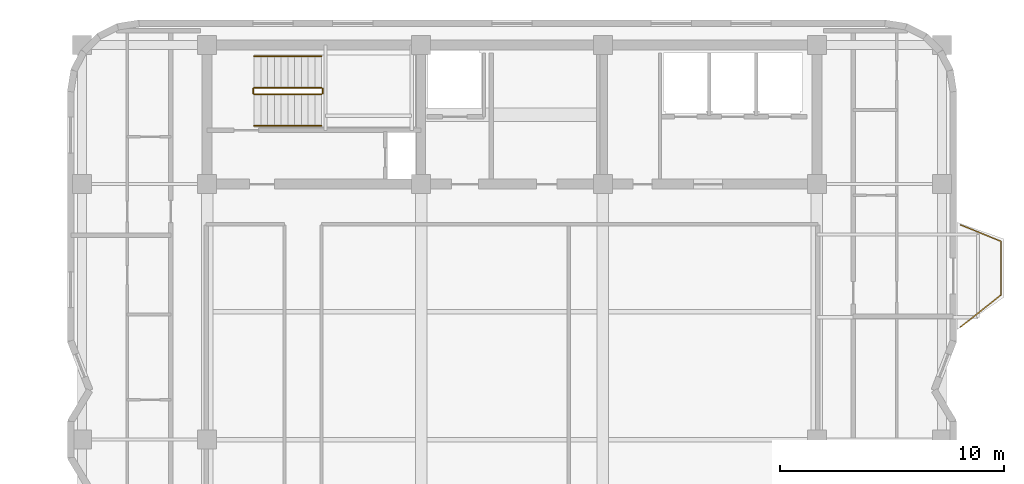
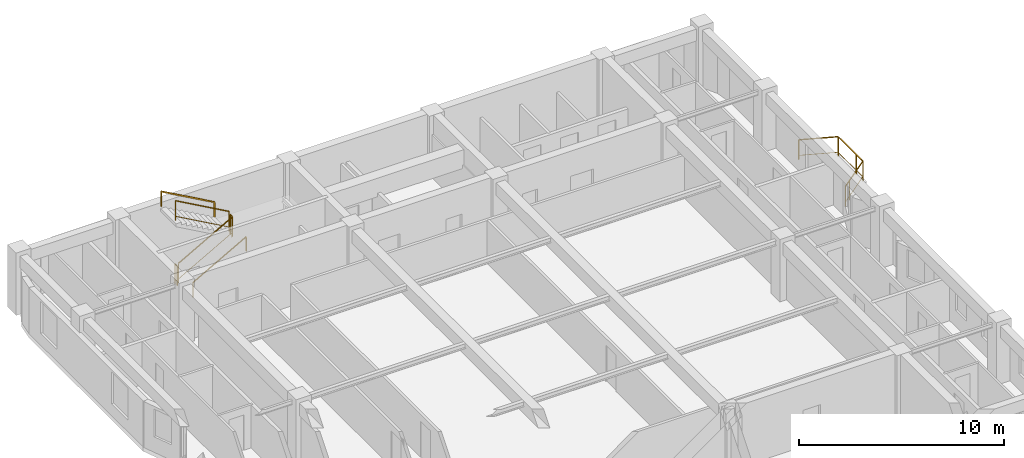
# One storey, part 8 of 8: 7 railings.
"""IFC4 building model written with IfcOpenShell, lengths in metres."""

from ifc_helpers import new_model, si_unit, direction, frame, origin, origin_2d, place, context, subcontext, project, spatial, rectangle, extrude, material, type_object, element, save


model = new_model("IFC4")

# Units and contexts
model_context = context("Model", 3, precision=1e-05, world=origin(), true_north=direction((0.0, 1.0)))
body_context = subcontext(model_context, "Body", "Model", "MODEL_VIEW")
ifc_project = project(units=[si_unit("LENGTHUNIT", "METRE"), si_unit("AREAUNIT", "SQUARE_METRE"), si_unit("VOLUMEUNIT", "CUBIC_METRE"), si_unit("PLANEANGLEUNIT", "RADIAN"), si_unit("MASSUNIT", "GRAM", prefix="KILO")], contexts=[model_context])

# Site, building, storey
site_placement = place(None, origin())
site = spatial("IfcSite", under=ifc_project, at=site_placement, CompositionType="ELEMENT")
building_placement = place(site_placement, origin())
building = spatial("IfcBuilding", under=site, at=building_placement, Name="Svetorya Sky Lyceum", CompositionType="ELEMENT")
storey_placement = place(building_placement, frame((0.0, 0.0, 229.5)))
storey = spatial("IfcBuildingStorey", under=building, at=storey_placement, Name="L57", CompositionType="ELEMENT", Elevation=229.5)

# Railings
ifc_material_1 = material(Name="Laminated safety glass and stainless AISI 316", Category="glass")
railing_type_1 = type_object("IfcRailingType", Name="RL-BAL-1200", PredefinedType="BALUSTRADE", material=ifc_material_1)
railing_1_placement = place(storey_placement, frame((59.2099609375, 37.780029296875, 0.0)))
element("IfcRailing", 1, at=railing_1_placement, inside=storey, type_object=railing_type_1, Name="L57 Balcony Balustrade BAL-E1", PredefinedType="BALUSTRADE", context=body_context, shape_type="SweptSolid", body=[
    extrude(rectangle(XDim=0.048095703125, YDim=0.048095703125, at=origin_2d()), frame((0.0, 0.0, 1.17578125), z_axis=(0.926697865975, -0.375807218129, 0.0), x_axis=(0.375807218129, 0.926697865975, 0.0)), (0.0, 0.0, 1.0), 1.9423828125),
    extrude(rectangle(XDim=0.02392578125, YDim=0.02392578125, at=origin_2d()), frame((0.0, 0.0, 0.25), z_axis=(0.926697865975, -0.375807218129, 0.0), x_axis=(0.375807218129, 0.926697865975, 0.0)), (0.0, 0.0, 1.0), 1.9423828125),
    extrude(rectangle(XDim=0.048095703125, YDim=0.048095703125, at=origin_2d()), frame((1.800048828125, -0.72998046875, 1.17578125), z_axis=(0.0, -1.0, 0.0), x_axis=(1.0, 0.0, 0.0)), (0.0, 0.0, 1.0), 2.400146484375),
    extrude(rectangle(XDim=0.02392578125, YDim=0.02392578125, at=origin_2d()), frame((1.800048828125, -0.72998046875, 0.25), z_axis=(0.0, -1.0, 0.0), x_axis=(1.0, 0.0, 0.0)), (0.0, 0.0, 1.0), 2.400146484375),
    extrude(rectangle(XDim=0.048095703125, YDim=0.048095703125, at=origin_2d()), frame((1.800048828125, -3.130126953125, 1.17578125), z_axis=(-0.783008919264, -0.622010476079, 0.0), x_axis=(0.622010476079, -0.783008919264, 0.0)), (0.0, 0.0, 1.0), 2.298828125),
    extrude(rectangle(XDim=0.02392578125, YDim=0.02392578125, at=origin_2d()), frame((1.800048828125, -3.130126953125, 0.25), z_axis=(-0.783008919264, -0.622010476079, 0.0), x_axis=(0.622010476079, -0.783008919264, 0.0)), (0.0, 0.0, 1.0), 2.298828125),
    extrude(rectangle(XDim=0.0419921875, YDim=0.0419921875, at=origin_2d()), origin(), (0.0, 0.0, 1.0), 1.15185546875),
    extrude(rectangle(XDim=0.0419921875, YDim=0.0419921875, at=origin_2d()), frame((1.800048828125, -0.72998046875, 0.0)), (0.0, 0.0, 1.0), 1.15185546875),
    extrude(rectangle(XDim=0.0419921875, YDim=0.0419921875, at=origin_2d()), frame((1.800048828125, -2.47998046875, 0.0)), (0.0, 0.0, 1.0), 1.15185546875),
    extrude(rectangle(XDim=0.0419921875, YDim=0.0419921875, at=origin_2d()), frame((1.800048828125, -3.130126953125, 0.0)), (0.0, 0.0, 1.0), 1.15185546875),
    extrude(rectangle(XDim=0.0419921875, YDim=0.0419921875, at=origin_2d()), frame((0.4296875, -4.21875, 0.0)), (0.0, 0.0, 1.0), 1.15185546875),
    extrude(rectangle(XDim=0.0419921875, YDim=0.0419921875, at=origin_2d()), frame((0.0, -4.56005859375, 0.0)), (0.0, 0.0, 1.0), 1.15185546875),
])
ifc_material_2 = material(Name="Painted galvanized stair well guard")
railing_type_2 = type_object("IfcRailingType", Name="RL-STR-GUARD-1200", PredefinedType="GUARDRAIL", material=ifc_material_2)
railing_2_placement = place(storey_placement, frame((27.699951171875, 43.60009765625, 0.168212890625)))
element("IfcRailing", 2, at=railing_2_placement, inside=storey, type_object=railing_type_2, Name="L57 ST-N stair guard 1", PredefinedType="GUARDRAIL", context=body_context, shape_type="SweptSolid", body=[
    extrude(rectangle(XDim=0.048095703125, YDim=0.048095703125, at=origin_2d()), frame((0.0, 0.0, 1.17578125), z_axis=(0.872272294576, 0.0, 0.489020494575), x_axis=(0.0, 1.0, 0.0)), (0.0, 0.0, 1.0), 3.439208984375),
    extrude(rectangle(XDim=0.02392578125, YDim=0.02392578125, at=origin_2d()), frame((0.0, 0.0, 0.25), z_axis=(0.872272294576, 0.0, 0.489020494575), x_axis=(0.0, 1.0, 0.0)), (0.0, 0.0, 1.0), 3.439208984375),
    extrude(rectangle(XDim=0.0419921875, YDim=0.0419921875, at=origin_2d()), origin(), (0.0, 0.0, 1.0), 1.15185546875),
    extrude(rectangle(XDim=0.0419921875, YDim=0.0419921875, at=origin_2d()), frame((3.0, 0.0, 1.681884765625)), (0.0, 0.0, 1.0), 1.15185546875),
])
railing_3_placement = place(storey_placement, frame((30.75, 43.64990234375, 1.85009765625)))
element("IfcRailing", 3, at=railing_3_placement, inside=storey, type_object=railing_type_2, Name="L57 ST-N stair guard 2", PredefinedType="GUARDRAIL", context=body_context, shape_type="SweptSolid", body=[
    extrude(rectangle(XDim=0.048095703125, YDim=0.048095703125, at=origin_2d()), frame((0.0, 0.0, 1.17578125), z_axis=(0.0, 1.0, 0.0), x_axis=(-1.0, 0.0, 0.0)), (0.0, 0.0, 1.0), 0.2001953125),
    extrude(rectangle(XDim=0.02392578125, YDim=0.02392578125, at=origin_2d()), frame((0.0, 0.0, 0.25), z_axis=(0.0, 1.0, 0.0), x_axis=(-1.0, 0.0, 0.0)), (0.0, 0.0, 1.0), 0.2001953125),
    extrude(rectangle(XDim=0.0419921875, YDim=0.0419921875, at=origin_2d()), origin(), (0.0, 0.0, 1.0), 1.15185546875),
    extrude(rectangle(XDim=0.0419921875, YDim=0.0419921875, at=origin_2d()), frame((0.0, 0.2001953125, 0.0)), (0.0, 0.0, 1.0), 1.15185546875),
])
railing_4_placement = place(storey_placement, frame((30.699951171875, 43.89990234375, 2.01806640625)))
element("IfcRailing", 4, at=railing_4_placement, inside=storey, type_object=railing_type_2, Name="L57 ST-N stair guard 3", PredefinedType="GUARDRAIL", context=body_context, shape_type="SweptSolid", body=[
    extrude(rectangle(XDim=0.048095703125, YDim=0.048095703125, at=origin_2d()), frame((0.0, 0.0, 1.17578125), z_axis=(-0.872272294576, 0.0, 0.489020494575), x_axis=(0.0, -1.0, 0.0)), (0.0, 0.0, 1.0), 3.439208984375),
    extrude(rectangle(XDim=0.02392578125, YDim=0.02392578125, at=origin_2d()), frame((0.0, 0.0, 0.25), z_axis=(-0.872272294576, 0.0, 0.489020494575), x_axis=(0.0, -1.0, 0.0)), (0.0, 0.0, 1.0), 3.439208984375),
    extrude(rectangle(XDim=0.0419921875, YDim=0.0419921875, at=origin_2d()), origin(), (0.0, 0.0, 1.0), 1.15185546875),
    extrude(rectangle(XDim=0.0419921875, YDim=0.0419921875, at=origin_2d()), frame((-3.0, 0.0, 1.681884765625)), (0.0, 0.0, 1.0), 1.15185546875),
])
railing_5_placement = place(storey_placement, frame((27.64990234375, 43.64990234375, 0.0)))
element("IfcRailing", 5, at=railing_5_placement, inside=storey, type_object=railing_type_2, Name="L57 ST-N stair guard 4", PredefinedType="GUARDRAIL", context=body_context, shape_type="SweptSolid", body=[
    extrude(rectangle(XDim=0.048095703125, YDim=0.048095703125, at=origin_2d()), frame((0.0, 0.0, 1.17578125), z_axis=(0.0, 1.0, 0.0), x_axis=(-1.0, 0.0, 0.0)), (0.0, 0.0, 1.0), 0.2001953125),
    extrude(rectangle(XDim=0.02392578125, YDim=0.02392578125, at=origin_2d()), frame((0.0, 0.0, 0.25), z_axis=(0.0, 1.0, 0.0), x_axis=(-1.0, 0.0, 0.0)), (0.0, 0.0, 1.0), 0.2001953125),
    extrude(rectangle(XDim=0.0419921875, YDim=0.0419921875, at=origin_2d()), origin(), (0.0, 0.0, 1.0), 1.15185546875),
    extrude(rectangle(XDim=0.0419921875, YDim=0.0419921875, at=origin_2d()), frame((0.0, 0.2001953125, 0.0)), (0.0, 0.0, 1.0), 1.15185546875),
])
ifc_material_3 = material(Name="Brushed stainless AISI 304 stair handrail")
railing_type_3 = type_object("IfcRailingType", Name="RL-STR-HAND-920", PredefinedType="HANDRAIL", material=ifc_material_3)
railing_6_placement = place(storey_placement, frame((27.699951171875, 42.199951171875, 0.168212890625)))
element("IfcRailing", 6, at=railing_6_placement, inside=storey, type_object=railing_type_3, Name="L57 ST-N stair handrail 1", PredefinedType="HANDRAIL", context=body_context, shape_type="SweptSolid", body=[
    extrude(rectangle(XDim=0.048095703125, YDim=0.048095703125, at=origin_2d()), frame((0.0, 0.0, 0.8759765625), z_axis=(0.872272294576, 0.0, 0.489020494575), x_axis=(0.0, 1.0, 0.0)), (0.0, 0.0, 1.0), 3.439208984375),
    extrude(rectangle(XDim=0.0419921875, YDim=0.0419921875, at=origin_2d()), origin(), (0.0, 0.0, 1.0), 0.851806640625),
    extrude(rectangle(XDim=0.0419921875, YDim=0.0419921875, at=origin_2d()), frame((3.0, 0.0, 1.681884765625)), (0.0, 0.0, 1.0), 0.851806640625),
])
railing_7_placement = place(storey_placement, frame((30.699951171875, 45.300048828125, 2.01806640625)))
element("IfcRailing", 7, at=railing_7_placement, inside=storey, type_object=railing_type_3, Name="L57 ST-N stair handrail 2", PredefinedType="HANDRAIL", context=body_context, shape_type="SweptSolid", body=[
    extrude(rectangle(XDim=0.048095703125, YDim=0.048095703125, at=origin_2d()), frame((0.0, 0.0, 0.8759765625), z_axis=(-0.872272294576, 0.0, 0.489020494575), x_axis=(0.0, -1.0, 0.0)), (0.0, 0.0, 1.0), 3.439208984375),
    extrude(rectangle(XDim=0.0419921875, YDim=0.0419921875, at=origin_2d()), origin(), (0.0, 0.0, 1.0), 0.851806640625),
    extrude(rectangle(XDim=0.0419921875, YDim=0.0419921875, at=origin_2d()), frame((-3.0, 0.0, 1.681884765625)), (0.0, 0.0, 1.0), 0.851806640625),
])

save(model, "model.ifc")
